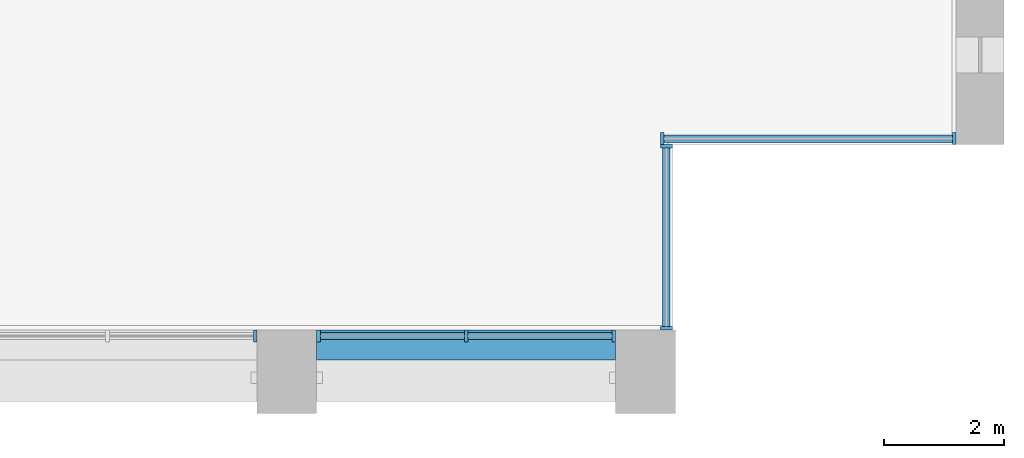
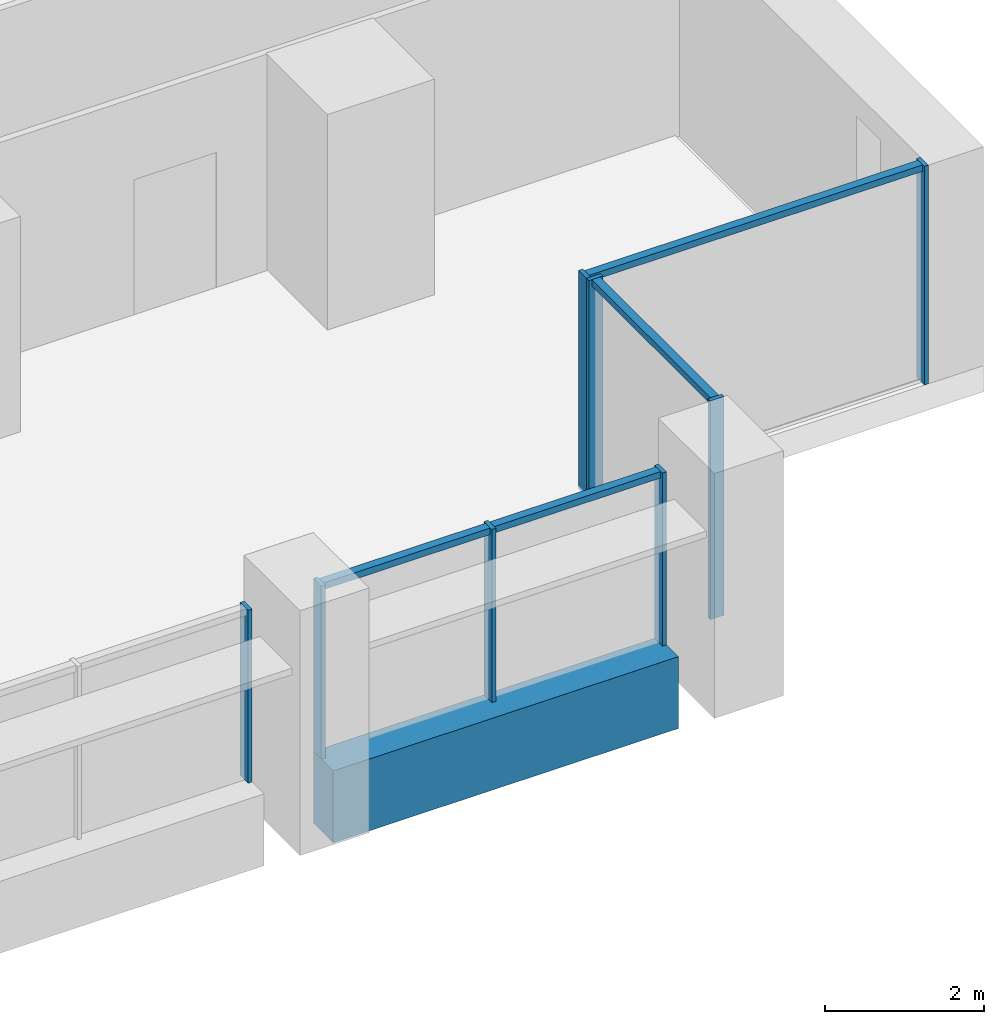
# One storey, part 5 of 17: 12 members, 1 beam, 4 elements without a shape of their own.
"""IFC4 building model written with IfcOpenShell, lengths in metres."""

import ifcopenshell
import ifcopenshell.guid

model = None  # the IFC model being written
_history = None  # IfcOwnerHistory: only IFC2X3 demands one
_inside = {}  # id of a spatial element -> (the spatial element, [elements in it])
_under = {}  # id of a project, library or spatial element -> (it, [spatial elements below it])
_declared = {}  # id of a project -> (the project, [libraries it declares])
_typed = {}  # id of a type object -> (the type object, [elements of that type])
_made_of = {}  # id of a material, layer set ... -> (it, [elements and type objects made of it])


def new_model(schema):
    """Start an empty IFC model of exactly this schema.

    Asked for "IFC4X3", IfcOpenShell would pick the latest addendum, in which some entities
    have other attributes; the version numbers below select the first issue.
    IFC2X3 requires an IfcOwnerHistory on every rooted entity: one is made here for all.
    """
    global model, _history
    if schema == "IFC4X3":
        model = ifcopenshell.file(schema_version=(4, 3, 0, 0))
    else:
        model = ifcopenshell.file(schema=schema)
    _inside.clear()
    _under.clear()
    _declared.clear()
    _typed.clear()
    _made_of.clear()
    _history = None
    if model.schema == "IFC2X3":
        org = make("IfcOrganization", Name="unknown")
        user = make(
            "IfcPersonAndOrganization",
            ThePerson=make("IfcPerson", FamilyName="unknown"),
            TheOrganization=org,
        )
        app = make(
            "IfcApplication",
            ApplicationDeveloper=org,
            Version="unknown",
            ApplicationFullName="unknown",
            ApplicationIdentifier="unknown",
        )
        _history = make(
            "IfcOwnerHistory",
            OwningUser=user,
            OwningApplication=app,
            ChangeAction="ADDED",
            CreationDate=0,
        )
    return model


def make(cls, **values):
    """One entity of the class cls with the attributes given. An attribute that is None is left unset."""
    return model.create_entity(
        cls, **{name: value for name, value in values.items() if value is not None}
    )


def rooted(cls, **values):
    """An entity with a GlobalId (a new one), such as an element, a storey or a relation."""
    return make(cls, GlobalId=ifcopenshell.guid.new(), OwnerHistory=_history, **values)


def si_unit(unit_type, name, prefix=None):
    """IfcSIUnit, for example si_unit("LENGTHUNIT", "METRE", prefix="MILLI")."""
    return make("IfcSIUnit", UnitType=unit_type, Prefix=prefix, Name=name)


def assignment(units):
    """IfcUnitAssignment: the units of a project."""
    return None if units is None else make("IfcUnitAssignment", Units=units)


def point(xyz):
    """IfcCartesianPoint."""
    return None if xyz is None else make("IfcCartesianPoint", Coordinates=xyz)


def direction(xyz):
    """IfcDirection."""
    return None if xyz is None else make("IfcDirection", DirectionRatios=xyz)


def frame(location, z_axis=None, x_axis=None):
    """IfcAxis2Placement3D, a coordinate frame: its origin and axes. An axis left out is left unset."""
    return make(
        "IfcAxis2Placement3D",
        Location=point(location),
        Axis=direction(z_axis),
        RefDirection=direction(x_axis),
    )


def frame_2d(location, x_axis=None):
    """IfcAxis2Placement2D, a coordinate frame in the plane: its origin and x axis."""
    return make(
        "IfcAxis2Placement2D", Location=point(location), RefDirection=direction(x_axis)
    )


def origin():
    """The frame at (0, 0, 0) with its axes left unset."""
    return frame((0.0, 0.0, 0.0))


def origin_2d():
    """The frame at (0, 0) in the plane with its x axis left unset."""
    return frame_2d((0.0, 0.0))


def place(relative_to, where):
    """IfcLocalPlacement: puts the frame where relative to a parent placement (None: the world)."""
    return make(
        "IfcLocalPlacement", PlacementRelTo=relative_to, RelativePlacement=where
    )


def context(
    kind, dimensions, precision=None, world=None, true_north=None, identifier=None
):
    """IfcGeometricRepresentationContext, for example the 3D "Model" context."""
    return make(
        "IfcGeometricRepresentationContext",
        ContextIdentifier=identifier,
        ContextType=kind,
        CoordinateSpaceDimension=dimensions,
        Precision=precision,
        WorldCoordinateSystem=world,
        TrueNorth=true_north,
    )


def subcontext(parent, identifier, kind, view, scale=None):
    """IfcGeometricRepresentationSubContext, for example "Body" below "Model"."""
    return make(
        "IfcGeometricRepresentationSubContext",
        ContextIdentifier=identifier,
        ContextType=kind,
        ParentContext=parent,
        TargetScale=scale,
        TargetView=view,
    )


def project(units=None, contexts=None):
    """IfcProject with its units and contexts."""
    return rooted(
        "IfcProject",
        Name="project",
        RepresentationContexts=contexts,
        UnitsInContext=assignment(units),
    )


def spatial(cls, under=None, at=None, **own):
    """A site, building, storey or space (cls), placed at a placement, below another one or the project."""
    s = rooted(cls, ObjectPlacement=at, **own)
    if under is not None:
        _under.setdefault(under.id(), (under, []))[1].append(s)
    return s


def profile(cls, at=None, kind="AREA", **sizes):
    """A parametric profile (cls). Its sizes go by their IFC names, for example OverallWidth=200.0."""
    return make(cls, ProfileType=kind, Position=at, **sizes)


def rectangle(**sizes):
    """IfcRectangleProfileDef."""
    return profile("IfcRectangleProfileDef", **sizes)


def extrude(swept, where, along, depth):
    """IfcExtrudedAreaSolid: the profile swept, set in the frame where, extruded along a direction by depth."""
    return make(
        "IfcExtrudedAreaSolid",
        SweptArea=swept,
        Position=where,
        ExtrudedDirection=direction(along),
        Depth=depth,
    )


def shape(context_of_items, identifier, shape_type, items):
    """IfcShapeRepresentation: the items that make up one representation, for example the "Body"."""
    return make(
        "IfcShapeRepresentation",
        ContextOfItems=context_of_items,
        RepresentationIdentifier=identifier,
        RepresentationType=shape_type,
        Items=items,
    )


def material(Name=None, Category=None):
    """IfcMaterial."""
    return make("IfcMaterial", Name=Name, Category=Category)


def material_profile(
    of_material, cross_section, Name=None, Category=None, Priority=None
):
    """IfcMaterialProfile: a cross section and its material."""
    return make(
        "IfcMaterialProfile",
        Name=Name,
        Material=of_material,
        Profile=cross_section,
        Priority=Priority,
        Category=Category,
    )


def profile_set(profiles, Name=None, composite=None):
    """IfcMaterialProfileSet."""
    return make(
        "IfcMaterialProfileSet",
        Name=Name,
        MaterialProfiles=profiles,
        CompositeProfile=composite,
    )


def made_of(thing, what):
    """Note that an element or type object is made of a material, layer set ...; save() writes the relation."""
    if what is not None:
        _made_of.setdefault(what.id(), (what, []))[1].append(thing)
    return thing


def type_object(cls, material=None, **own):
    """A type object (cls), such as IfcWallType, which elements share."""
    return made_of(rooted(cls, **own), material)


def element(
    cls,
    number,
    at=None,
    inside=None,
    cuts=None,
    type_object=None,
    material=None,
    context=None,
    identifier="Body",
    shape_type=None,
    held_by="IfcProductDefinitionShape",
    body=None,
    shapes=None,
    **own,
):
    """One element of the class cls, such as IfcWall. Its Tag is "e" and its number.

    at: its placement. inside: the storey or other place that contains it. cuts: it is an
    opening in that element (IfcRelVoidsElement). A single representation is given by context,
    identifier, shape_type and body (its items); several are given by shapes. held_by: the class
    of the entity that holds the representations. save() writes the other relations.
    """
    e = rooted(cls, Tag="e%d" % number, ObjectPlacement=at, **own)
    if body is not None:
        shapes = [shape(context, identifier, shape_type, body)]
    if shapes is not None:
        e.Representation = make(held_by, Representations=shapes)
    if inside is not None:
        _inside.setdefault(inside.id(), (inside, []))[1].append(e)
    if cuts is not None:
        rooted(
            "IfcRelVoidsElement", RelatingBuildingElement=cuts, RelatedOpeningElement=e
        )
    if type_object is not None:
        _typed.setdefault(type_object.id(), (type_object, []))[1].append(e)
    return made_of(e, material)


def aggregate(whole, parts):
    """IfcRelAggregates: a whole, such as a stair, and the parts it consists of."""
    return rooted("IfcRelAggregates", RelatingObject=whole, RelatedObjects=parts)


def save(model, path):
    """Write the relations noted so far, then the file.

    IfcRelAggregates (storeys below a building ...), IfcRelContainedInSpatialStructure (elements
    in a storey), IfcRelDefinesByType, IfcRelAssociatesMaterial and IfcRelDeclares: one each for
    every whole, place, type object, material and project.
    """
    for whole, parts in _under.values():
        aggregate(whole, parts)
    for where, things in _inside.values():
        rooted(
            "IfcRelContainedInSpatialStructure",
            RelatedElements=things,
            RelatingStructure=where,
        )
    for kind, things in _typed.values():
        rooted("IfcRelDefinesByType", RelatedObjects=things, RelatingType=kind)
    for what, things in _made_of.values():
        rooted("IfcRelAssociatesMaterial", RelatedObjects=things, RelatingMaterial=what)
    for by, libraries in _declared.values():
        rooted("IfcRelDeclares", RelatingContext=by, RelatedDefinitions=libraries)
    model.write(path)


model = new_model("IFC4")

# Units and contexts
model_context = context("Model", 3, precision=1e-05, world=origin(), true_north=direction((0.0, 1.0)))
body_context = subcontext(model_context, "Body", "Model", "MODEL_VIEW")
ifc_project = project(units=[si_unit("LENGTHUNIT", "METRE"), si_unit("AREAUNIT", "SQUARE_METRE"), si_unit("VOLUMEUNIT", "CUBIC_METRE"), si_unit("PLANEANGLEUNIT", "RADIAN"), si_unit("MASSUNIT", "GRAM", prefix="KILO")], contexts=[model_context])

# Site, building, storey
site_placement = place(None, origin())
site = spatial("IfcSite", under=ifc_project, at=site_placement, CompositionType="ELEMENT")
building_placement = place(site_placement, origin())
building = spatial("IfcBuilding", under=site, at=building_placement, Name="Calvaro Tower", CompositionType="ELEMENT")
storey_placement = place(building_placement, frame((0.0, 0.0, 71.25)))
storey = spatial("IfcBuildingStorey", under=building, at=storey_placement, Name="L17", CompositionType="ELEMENT", Elevation=71.25)

# Curtain wall, member
ifc_material_1 = material(Name="Anodised aluminium", Category="aluminium")
curtain_wall_type = type_object("IfcCurtainWallType", Name="Office curtain wall, lower zone", PredefinedType="NOTDEFINED", material=ifc_material_1)
curtain_wall_1_placement = place(storey_placement, origin())
curtain_wall_1 = element("IfcCurtainWall", 1, at=curtain_wall_1_placement, inside=storey, type_object=curtain_wall_type, Name="CW1 south curtain wall", PredefinedType="NOTDEFINED")
ifc_material_2 = material(Name="Anodised aluminium", Category="aluminium")
ifc_material_profile_1 = material_profile(ifc_material_2, rectangle(XDim=0.199951171875, YDim=0.06005859375, at=origin_2d()), Name="Mullion S1 60 x 200")
ifc_profile_set_1 = profile_set([ifc_material_profile_1], Name="Anodised aluminium")
member_type_1 = type_object("IfcMemberType", Name="Mullion S1 60 x 200", PredefinedType="MULLION", material=ifc_profile_set_1)
member_1_placement = place(storey_placement, frame((65.469970703125, 1.300048828125, 0.0), z_axis=(0.0, 0.0, 1.0), x_axis=(0.0, 1.0, 0.0)))
member_1 = element("IfcMember", 2, at=member_1_placement, type_object=member_type_1, Name="CW1 mullion 3", PredefinedType="MULLION", context=body_context, shape_type="SweptSolid", body=[
    extrude(rectangle(XDim=0.199951171875, YDim=0.06005859375, at=origin_2d()), origin(), (0.0, 0.0, 1.0), 2.64990234375),
])
aggregate(curtain_wall_1, [member_1])

# Curtain wall, members
curtain_wall_2_placement = place(storey_placement, origin())
curtain_wall_2 = element("IfcCurtainWall", 3, at=curtain_wall_2_placement, inside=storey, type_object=curtain_wall_type, Name="CW1 south curtain wall", PredefinedType="NOTDEFINED")
member_2_placement = place(storey_placement, frame((66.530029296875, 1.300048828125, 0.0), z_axis=(0.0, 0.0, 1.0), x_axis=(0.0, 1.0, 0.0)))
member_2 = element("IfcMember", 4, at=member_2_placement, type_object=member_type_1, Name="CW1 mullion 1", PredefinedType="MULLION", context=body_context, shape_type="SweptSolid", body=[
    extrude(rectangle(XDim=0.199951171875, YDim=0.06005859375, at=origin_2d()), origin(), (0.0, 0.0, 1.0), 2.64990234375),
])
member_3_placement = place(storey_placement, frame((69.0, 1.300048828125, 0.0), z_axis=(0.0, 0.0, 1.0), x_axis=(0.0, 1.0, 0.0)))
member_3 = element("IfcMember", 5, at=member_3_placement, type_object=member_type_1, Name="CW1 mullion 2", PredefinedType="MULLION", context=body_context, shape_type="SweptSolid", body=[
    extrude(rectangle(XDim=0.199951171875, YDim=0.06005859375, at=origin_2d()), origin(), (0.0, 0.0, 1.0), 2.64990234375),
])
member_4_placement = place(storey_placement, frame((71.469970703125, 1.300048828125, 0.0), z_axis=(0.0, 0.0, 1.0), x_axis=(0.0, 1.0, 0.0)))
member_4 = element("IfcMember", 6, at=member_4_placement, type_object=member_type_1, Name="CW1 mullion 3", PredefinedType="MULLION", context=body_context, shape_type="SweptSolid", body=[
    extrude(rectangle(XDim=0.199951171875, YDim=0.06005859375, at=origin_2d()), origin(), (0.0, 0.0, 1.0), 2.64990234375),
])

curtain_wall_3_placement = place(storey_placement, origin())
curtain_wall_3 = element("IfcCurtainWall", 7, at=curtain_wall_3_placement, inside=storey, type_object=curtain_wall_type, Name="CW1 corner curtain wall", PredefinedType="NOTDEFINED")
member_5_placement = place(storey_placement, frame((72.35009765625, 1.429931640625, 0.0), z_axis=(0.0, 0.0, 1.0), x_axis=(-1.0, 0.0, 0.0)))
member_5 = element("IfcMember", 8, at=member_5_placement, type_object=member_type_1, Name="CW1 mullion 1", PredefinedType="MULLION", context=body_context, shape_type="SweptSolid", body=[
    extrude(rectangle(XDim=0.199951171875, YDim=0.06005859375, at=origin_2d()), origin(), (0.0, 0.0, 1.0), 3.35009765625),
])
member_6_placement = place(storey_placement, frame((72.35009765625, 4.469970703125, 0.0), z_axis=(0.0, 0.0, 1.0), x_axis=(-1.0, 0.0, 0.0)))
member_6 = element("IfcMember", 9, at=member_6_placement, type_object=member_type_1, Name="CW1 mullion 2", PredefinedType="MULLION", context=body_context, shape_type="SweptSolid", body=[
    extrude(rectangle(XDim=0.199951171875, YDim=0.06005859375, at=origin_2d()), origin(), (0.0, 0.0, 1.0), 3.35009765625),
])

curtain_wall_4_placement = place(storey_placement, origin())
curtain_wall_4 = element("IfcCurtainWall", 10, at=curtain_wall_4_placement, inside=storey, type_object=curtain_wall_type, Name="CW1 corner curtain wall", PredefinedType="NOTDEFINED")
member_7_placement = place(storey_placement, frame((72.280029296875, 4.60009765625, 0.0), z_axis=(0.0, 0.0, 1.0), x_axis=(0.0, 1.0, 0.0)))
member_7 = element("IfcMember", 11, at=member_7_placement, type_object=member_type_1, Name="CW1 mullion 1", PredefinedType="MULLION", context=body_context, shape_type="SweptSolid", body=[
    extrude(rectangle(XDim=0.199951171875, YDim=0.06005859375, at=origin_2d()), origin(), (0.0, 0.0, 1.0), 3.35009765625),
])
member_8_placement = place(storey_placement, frame((77.169921875, 4.60009765625, 0.0), z_axis=(0.0, 0.0, 1.0), x_axis=(0.0, 1.0, 0.0)))
member_8 = element("IfcMember", 12, at=member_8_placement, type_object=member_type_1, Name="CW1 mullion 2", PredefinedType="MULLION", context=body_context, shape_type="SweptSolid", body=[
    extrude(rectangle(XDim=0.199951171875, YDim=0.06005859375, at=origin_2d()), origin(), (0.0, 0.0, 1.0), 3.35009765625),
])

# Beam
ifc_material_3 = material(Name="Concrete C50/60 precast", Category="concrete")
ifc_material_profile_2 = material_profile(ifc_material_3, rectangle(XDim=0.5, YDim=1.10009765625, at=origin_2d()), Name="RC 500x1100")
ifc_profile_set_2 = profile_set([ifc_material_profile_2], Name="Concrete C50/60 precast")
beam_type = type_object("IfcBeamType", Name="Spandrel beam 500x1100 C50/60", PredefinedType="SPANDREL", material=ifc_profile_set_2)
beam_placement = place(storey_placement, frame((66.5, 1.14990234375, -0.550048828125), z_axis=(1.0, 0.0, 0.0), x_axis=(0.0, 1.0, 0.0)))
element("IfcBeam", 13, at=beam_placement, inside=storey, type_object=beam_type, Name="Spandrel beam", PredefinedType="SPANDREL", context=body_context, shape_type="SweptSolid", body=[
    extrude(rectangle(XDim=0.5, YDim=1.10009765625, at=origin_2d()), origin(), (0.0, 0.0, 1.0), 5.0),
])

# Member
ifc_material_4 = material(Name="Anodised aluminium", Category="aluminium")
ifc_material_profile_3 = material_profile(ifc_material_4, rectangle(XDim=0.1201171875, YDim=0.10009765625, at=origin_2d()), Name="Transom S1 100 x 120")
ifc_profile_set_3 = profile_set([ifc_material_profile_3], Name="Anodised aluminium")
member_type_2 = type_object("IfcMemberType", Name="Transom S1 100 x 120", PredefinedType="USERDEFINED", material=ifc_profile_set_3)
member_9_placement = place(storey_placement, frame((66.56005859375, 1.300048828125, 2.60009765625), z_axis=(1.0, 0.0, 0.0), x_axis=(0.0, 1.0, 0.0)))
member_9 = element("IfcMember", 14, at=member_9_placement, type_object=member_type_2, Name="CW1 transom 1.1", ObjectType="TRANSOM", PredefinedType="USERDEFINED", context=body_context, shape_type="SweptSolid", body=[
    extrude(rectangle(XDim=0.1201171875, YDim=0.10009765625, at=origin_2d()), origin(), (0.0, 0.0, 1.0), 2.409912109375),
])

member_10_placement = place(storey_placement, frame((69.030029296875, 1.300048828125, 2.60009765625), z_axis=(1.0, 0.0, 0.0), x_axis=(0.0, 1.0, 0.0)))
member_10 = element("IfcMember", 15, at=member_10_placement, type_object=member_type_2, Name="CW1 transom 2.1", ObjectType="TRANSOM", PredefinedType="USERDEFINED", context=body_context, shape_type="SweptSolid", body=[
    extrude(rectangle(XDim=0.1201171875, YDim=0.10009765625, at=origin_2d()), origin(), (0.0, 0.0, 1.0), 2.409912109375),
])

aggregate(curtain_wall_2, [member_2, member_3, member_4, member_9, member_10])

member_11_placement = place(storey_placement, frame((72.35009765625, 1.4599609375, 3.300048828125), z_axis=(0.0, 1.0, 0.0), x_axis=(-1.0, 0.0, 0.0)))
member_11 = element("IfcMember", 16, at=member_11_placement, type_object=member_type_2, Name="CW1 transom 1.1", ObjectType="TRANSOM", PredefinedType="USERDEFINED", context=body_context, shape_type="SweptSolid", body=[
    extrude(rectangle(XDim=0.1201171875, YDim=0.10009765625, at=origin_2d()), origin(), (0.0, 0.0, 1.0), 2.97998046875),
])

aggregate(curtain_wall_3, [member_5, member_6, member_11])

member_12_placement = place(storey_placement, frame((72.31005859375, 4.60009765625, 3.300048828125), z_axis=(1.0, 0.0, 0.0), x_axis=(0.0, 1.0, 0.0)))
member_12 = element("IfcMember", 17, at=member_12_placement, type_object=member_type_2, Name="CW1 transom 1.1", ObjectType="TRANSOM", PredefinedType="USERDEFINED", context=body_context, shape_type="SweptSolid", body=[
    extrude(rectangle(XDim=0.1201171875, YDim=0.10009765625, at=origin_2d()), origin(), (0.0, 0.0, 1.0), 4.829833984375),
])

aggregate(curtain_wall_4, [member_7, member_8, member_12])

save(model, "model.ifc")
